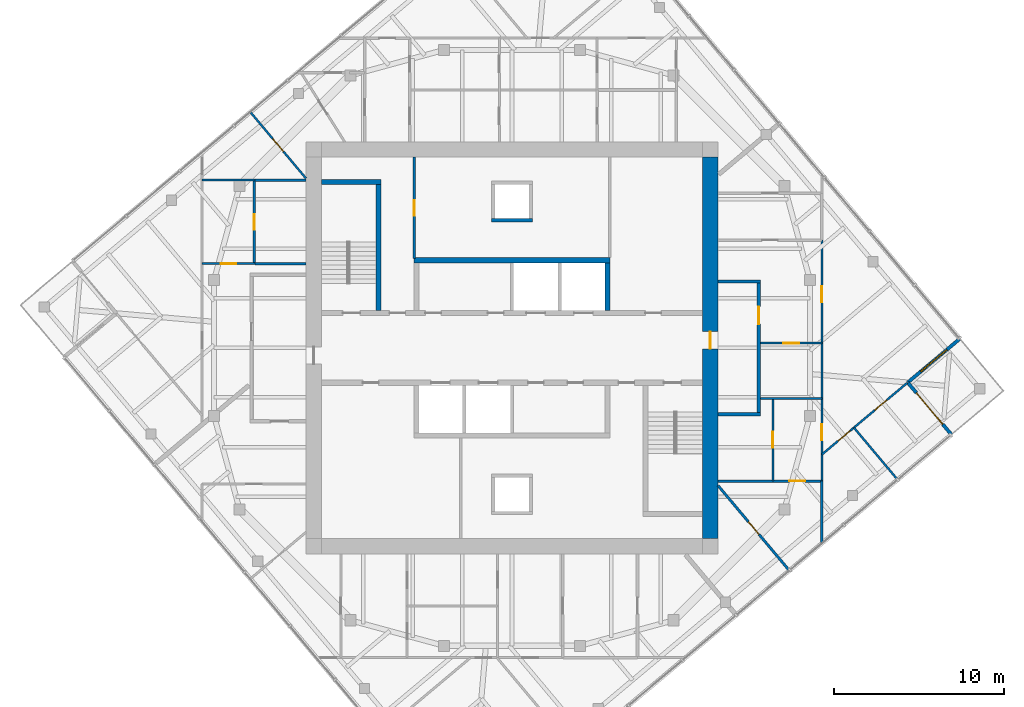
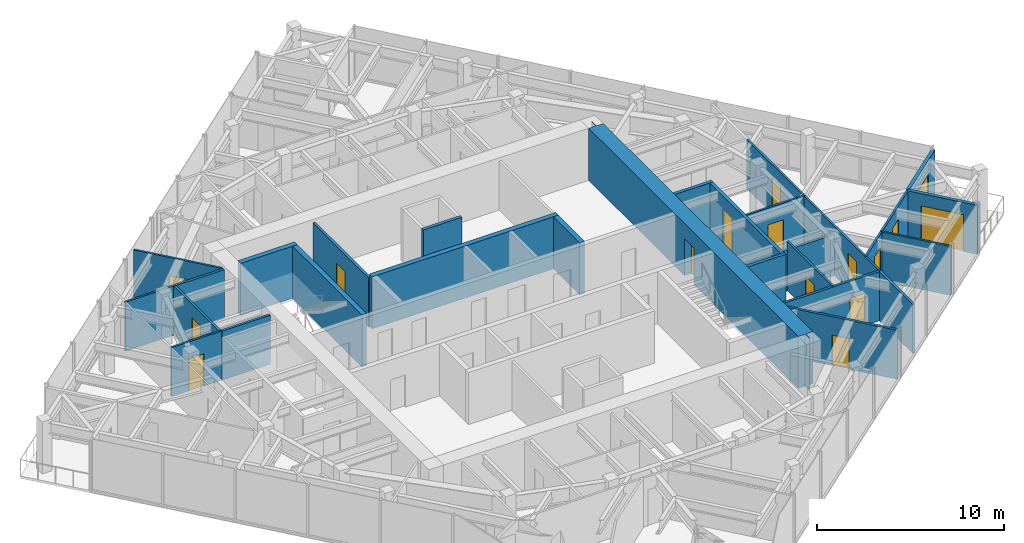
# One storey, part 9 of 12: 27 walls, 15 doors, 1 window, 16 openings.
"""IFC4 building model written with IfcOpenShell, lengths in metres."""

from ifc_helpers import new_model, si_unit, direction, frame, frame_2d, origin, place, context, subcontext, project, spatial, polyline, rectangle, outline, extrude, material, layer, layer_set, type_object, element, fill, save


model = new_model("IFC4")

# Units and contexts
model_context = context("Model", 3, precision=1e-05, world=origin(), true_north=direction((0.0, 1.0)))
body_context = subcontext(model_context, "Body", "Model", "MODEL_VIEW")
ifc_project = project(units=[si_unit("LENGTHUNIT", "METRE"), si_unit("AREAUNIT", "SQUARE_METRE"), si_unit("VOLUMEUNIT", "CUBIC_METRE"), si_unit("PLANEANGLEUNIT", "RADIAN"), si_unit("MASSUNIT", "GRAM", prefix="KILO")], contexts=[model_context])

# Site, building, storey
site_placement = place(None, origin())
site = spatial("IfcSite", under=ifc_project, at=site_placement, CompositionType="ELEMENT")
building_placement = place(site_placement, origin())
building = spatial("IfcBuilding", under=site, at=building_placement, Name="Torsade Residences", CompositionType="ELEMENT")
storey_placement = place(building_placement, frame((0.0, 0.0, 296.39990234375)))
storey = spatial("IfcBuildingStorey", under=building, at=storey_placement, Name="L82", CompositionType="ELEMENT", Elevation=296.39990234375)

# Walls
ifc_material_1 = material(Name="Concrete 80 MPa", Category="concrete")
ifc_layer_1 = layer(ifc_material_1, 0.300048828125)
ifc_layer_set_1 = layer_set([ifc_layer_1], Name="Concrete 80 MPa")
wall_type_1 = type_object("IfcWallType", Name="CORE INTERNAL WALL 300", PredefinedType="SHEAR", material=ifc_layer_set_1)
wall_1_placement = place(storey_placement, frame((34.25, 35.14990234375, 0.0), z_axis=(0.0, 0.0, 1.0), x_axis=(1.0, 0.0, 0.0)))
element("IfcWall", 1, at=wall_1_placement, inside=storey, type_object=wall_type_1, Name="Core wall BN L82", PredefinedType="SHEAR", context=body_context, shape_type="SweptSolid", body=[
    extrude(rectangle(XDim=11.5, YDim=0.300048828125, at=frame_2d((5.75, 0.0))), origin(), (0.0, 0.0, 1.0), 3.400146484375),
])
wall_2_placement = place(storey_placement, frame((45.60009765625, 32.199951171875, 0.0), z_axis=(0.0, 0.0, 1.0), x_axis=(0.0, 1.0, 0.0)))
element("IfcWall", 2, at=wall_2_placement, inside=storey, type_object=wall_type_1, Name="Core wall DN4 L82", PredefinedType="SHEAR", context=body_context, shape_type="SweptSolid", body=[
    extrude(rectangle(XDim=2.800048828125, YDim=0.300048828125, at=frame_2d((1.39990234375, 0.0))), origin(), (0.0, 0.0, 1.0), 3.400146484375),
])
wall_3_placement = place(storey_placement, frame((32.14990234375, 32.199951171875, 0.0), z_axis=(0.0, 0.0, 1.0), x_axis=(0.0, 1.0, 0.0)))
element("IfcWall", 3, at=wall_3_placement, inside=storey, type_object=wall_type_1, Name="Core wall ST1E L82", PredefinedType="SHEAR", context=body_context, shape_type="SweptSolid", body=[
    extrude(rectangle(XDim=7.699951171875, YDim=0.300048828125, at=frame_2d((3.85009765625, 0.0))), origin(), (0.0, 0.0, 1.0), 3.400146484375),
])
wall_4_placement = place(storey_placement, frame((28.800048828125, 39.75, 0.0), z_axis=(0.0, 0.0, 1.0), x_axis=(1.0, 0.0, 0.0)))
element("IfcWall", 4, at=wall_4_placement, inside=storey, type_object=wall_type_1, Name="Core wall ST1N L82", PredefinedType="SHEAR", context=body_context, shape_type="SweptSolid", body=[
    extrude(rectangle(XDim=3.5, YDim=0.300048828125, at=frame_2d((1.75, 0.0))), origin(), (0.0, 0.0, 1.0), 3.400146484375),
])

# Wall, opening, door
ifc_material_2 = material(Name="Concrete 80 MPa", Category="concrete")
ifc_layer_2 = layer(ifc_material_2, 0.89990234375)
ifc_layer_set_2 = layer_set([ifc_layer_2], Name="Concrete 80 MPa")
wall_type_2 = type_object("IfcWallType", Name="CORE WALL 900", PredefinedType="SHEAR", material=ifc_layer_set_2)
wall_5_placement = place(storey_placement, frame((51.64990234375, 18.800048828125, 0.0), z_axis=(0.0, 0.0, 1.0), x_axis=(0.0, 1.0, 0.0)))
wall_5 = element("IfcWall", 5, at=wall_5_placement, inside=storey, type_object=wall_type_2, Name="Core wall E L82", PredefinedType="SHEAR", context=body_context, shape_type="SweptSolid", body=[
    extrude(outline(polyline([(0.0, -0.449951171875), (22.39990234375, -0.449951171875), (22.39990234375, -0.02490234375), (22.849853515625, -0.02490234375), (22.849853515625, 0.02490234375), (22.39990234375, 0.02490234375), (22.39990234375, 0.449951171875), (0.0, 0.449951171875), (0.0, 0.02490234375), (-0.449951171875, 0.02490234375), (-0.449951171875, -0.02490234375), (0.0, -0.02490234375), (0.0, -0.449951171875)])), origin(), (0.0, 0.0, 1.0), 3.400146484375),
])
opening_1_placement = place(wall_5_placement, frame((11.139892578125, 0.0, 0.0)))
opening_1 = element("IfcOpeningElement", 6, at=opening_1_placement, cuts=wall_5, Name="Opening D04", PredefinedType="OPENING", context=body_context, shape_type="SweptSolid", body=[
    extrude(rectangle(XDim=1.02001953125, YDim=2.39990234375, at=frame_2d((0.510009765625, 1.199951171875))), frame((0.0, 0.4599609375, 0.0), z_axis=(0.0, -1.0, 0.0), x_axis=(1.0, 0.0, 0.0)), (0.0, 0.0, 1.0), 0.919921875),
])
ifc_material_3 = material(Name="Steel-framed fire door", Category="steel")
door_type_1 = type_object("IfcDoorType", Name="LOBBY SMOKE DOOR 1020x2400", OperationType="NOTDEFINED", PredefinedType="DOOR", material=ifc_material_3)
door_1_placement = place(opening_1_placement, origin())
door_1 = element("IfcDoor", 7, at=door_1_placement, inside=storey, type_object=door_type_1, Name="Lift lobby door E L82", OperationType="SINGLE_SWING_LEFT", OverallHeight=2.39990234375, OverallWidth=1.02001953125, PredefinedType="DOOR", context=body_context, shape_type="SweptSolid", body=[
    extrude(rectangle(XDim=1.02001953125, YDim=2.39990234375, at=frame_2d((0.510009765625, 1.199951171875))), frame((0.0, 0.02490234375, 0.0), z_axis=(0.0, -1.0, 0.0), x_axis=(1.0, 0.0, 0.0)), (0.0, 0.0, 1.0), 0.050048828125),
])
fill(opening_1, door_1)

ifc_material_4 = material(Name="Plasterboard on steel stud", Category="steel")
ifc_layer_3 = layer(ifc_material_4, 0.199951171875)
ifc_layer_set_3 = layer_set([ifc_layer_3], Name="Plasterboard on steel stud")
wall_type_3 = type_object("IfcWallType", Name="CORRIDOR WALL 200", PredefinedType="PARTITIONING", material=ifc_layer_set_3)
wall_6_placement = place(storey_placement, frame((54.5, 26.10009765625, 0.0), z_axis=(0.0, 0.0, 1.0), x_axis=(0.0, 1.0, 0.0)))
wall_6 = element("IfcWall", 8, at=wall_6_placement, inside=storey, type_object=wall_type_3, Name="Corridor wall L82", PredefinedType="PARTITIONING", context=body_context, shape_type="SweptSolid", body=[
    extrude(rectangle(XDim=7.7998046875, YDim=0.199951171875, at=frame_2d((3.89990234375, 0.0))), origin(), (0.0, 0.0, 1.0), 3.2001953125),
])
opening_2_placement = place(wall_6_placement, frame((5.3017578125, 0.0, 0.0)))
opening_2 = element("IfcOpeningElement", 9, at=opening_2_placement, cuts=wall_6, Name="Opening D01", PredefinedType="OPENING", context=body_context, shape_type="SweptSolid", body=[
    extrude(rectangle(XDim=1.02001953125, YDim=2.340087890625, at=frame_2d((0.510009765625, 1.169921875))), frame((0.0, 0.10986328125, 0.0), z_axis=(0.0, -1.0, 0.0), x_axis=(1.0, 0.0, 0.0)), (0.0, 0.0, 1.0), 0.219970703125),
])
ifc_material_5 = material(Name="Solid-core timber fire door", Category="wood")
door_type_2 = type_object("IfcDoorType", Name="APARTMENT ENTRY DOOR 1020x2340", OperationType="NOTDEFINED", PredefinedType="DOOR", material=ifc_material_5)
door_2_placement = place(opening_2_placement, origin())
door_2 = element("IfcDoor", 10, at=door_2_placement, inside=storey, type_object=door_type_2, Name="Door Residential corridor to Kitchen and dining", OperationType="SINGLE_SWING_RIGHT", OverallHeight=2.340087890625, OverallWidth=1.02001953125, PredefinedType="DOOR", context=body_context, shape_type="SweptSolid", body=[
    extrude(rectangle(XDim=1.02001953125, YDim=2.340087890625, at=frame_2d((0.510009765625, 1.169921875))), frame((0.0, 0.02490234375, 0.0), z_axis=(0.0, -1.0, 0.0), x_axis=(1.0, 0.0, 0.0)), (0.0, 0.0, 1.0), 0.050048828125),
])
fill(opening_2, door_2)

# Walls
for number, where, z_axis, x_axis, name in (
    (11, (52.10009765625, 33.89990234375, 0.0), (0.0, 0.0, 1.0), (1.0, 0.0, 0.0), "Corridor wall L82"),
    (12, (52.10009765625, 26.10009765625, 0.0), (0.0, 0.0, 1.0), (1.0, 0.0, 0.0), "Corridor wall L82"),
):
    element("IfcWall", number, at=place(storey_placement, frame(where, z_axis=z_axis, x_axis=x_axis)), inside=storey, type_object=wall_type_3, Name=name, PredefinedType="PARTITIONING", context=body_context, shape_type="SweptSolid", body=[
        extrude(rectangle(XDim=2.5, YDim=0.199951171875, at=frame_2d((1.25, 0.0))), origin(), (0.0, 0.0, 1.0), 3.2001953125),
    ])

# Wall, opening, door
ifc_material_6 = material(Name="Plasterboard on steel stud", Category="steel")
ifc_layer_4 = layer(ifc_material_6, 0.1201171875)
ifc_layer_set_4 = layer_set([ifc_layer_4], Name="Plasterboard on steel stud")
wall_type_4 = type_object("IfcWallType", Name="PARTITION 120", PredefinedType="PARTITIONING", material=ifc_layer_set_4)
wall_7_placement = place(storey_placement, frame((58.199951171875, 30.273681640625, 0.0), z_axis=(0.0, 0.0, 1.0), x_axis=(-1.0, 0.0, 0.0)))
wall_7 = element("IfcWall", 13, at=wall_7_placement, inside=storey, type_object=wall_type_4, Name="Partition L82", PredefinedType="PARTITIONING", context=body_context, shape_type="SweptSolid", body=[
    extrude(rectangle(XDim=3.599853515625, YDim=0.1201171875, at=frame_2d((1.7998046875, 0.0))), origin(), (0.0, 0.0, 1.0), 3.2001953125),
])
opening_3_placement = place(wall_7_placement, frame((1.320068359375, 0.0, 0.0)))
opening_3 = element("IfcOpeningElement", 14, at=opening_3_placement, cuts=wall_7, Name="Opening D05", PredefinedType="OPENING", context=body_context, shape_type="SweptSolid", body=[
    extrude(rectangle(XDim=0.9599609375, YDim=2.10009765625, at=frame_2d((0.47998046875, 1.050048828125))), frame((0.0, 0.070068359375, 0.0), z_axis=(0.0, -1.0, 0.0), x_axis=(1.0, 0.0, 0.0)), (0.0, 0.0, 1.0), 0.14013671875),
])
ifc_material_7 = material(Name="Hollow-core timber door in a steel cavity frame", Category="steel")
door_type_3 = type_object("IfcDoorType", Name="BATHROOM CAVITY SLIDING DOOR 960", OperationType="SLIDING_TO_LEFT", PredefinedType="DOOR", material=ifc_material_7)
door_3_placement = place(opening_3_placement, origin())
door_3 = element("IfcDoor", 15, at=door_3_placement, inside=storey, type_object=door_type_3, Name="Door Kitchen and dining to Ensuite", OperationType="SLIDING_TO_LEFT", OverallHeight=2.10009765625, OverallWidth=0.9599609375, PredefinedType="DOOR", context=body_context, shape_type="SweptSolid", body=[
    extrude(rectangle(XDim=0.9599609375, YDim=2.10009765625, at=frame_2d((0.47998046875, 1.050048828125))), frame((0.0, 0.02490234375, 0.0), z_axis=(0.0, -1.0, 0.0), x_axis=(1.0, 0.0, 0.0)), (0.0, 0.0, 1.0), 0.050048828125),
])
fill(opening_3, door_3)

# Wall, openings, doors
wall_8_placement = place(storey_placement, frame((58.199951171875, 36.33544921875, 0.0), z_axis=(0.0, 0.0, 1.0), x_axis=(0.0, -1.0, 0.0)))
wall_8 = element("IfcWall", 16, at=wall_8_placement, inside=storey, type_object=wall_type_4, Name="Partition L82", PredefinedType="PARTITIONING", context=body_context, shape_type="SweptSolid", body=[
    extrude(rectangle(XDim=14.157470703125, YDim=0.1201171875, at=frame_2d((7.07861328125, 0.0))), origin(), (0.0, 0.0, 1.0), 3.2001953125),
])
opening_4_placement = place(wall_8_placement, frame((2.720947265625, 0.0, 0.0)))
opening_4 = element("IfcOpeningElement", 17, at=opening_4_placement, cuts=wall_8, Name="Opening D02", PredefinedType="OPENING", context=body_context, shape_type="SweptSolid", body=[
    extrude(rectangle(XDim=0.919921875, YDim=2.340087890625, at=frame_2d((0.4599609375, 1.169921875))), frame((0.0, 0.070068359375, 0.0), z_axis=(0.0, -1.0, 0.0), x_axis=(1.0, 0.0, 0.0)), (0.0, 0.0, 1.0), 0.14013671875),
])
opening_5_placement = place(wall_8_placement, frame((10.828369140625, 0.0, 0.0)))
opening_5 = element("IfcOpeningElement", 18, at=opening_5_placement, cuts=wall_8, Name="Opening D02", PredefinedType="OPENING", context=body_context, shape_type="SweptSolid", body=[
    extrude(rectangle(XDim=0.919921875, YDim=2.340087890625, at=frame_2d((0.4599609375, 1.169921875))), frame((0.0, 0.070068359375, 0.0), z_axis=(0.0, -1.0, 0.0), x_axis=(1.0, 0.0, 0.0)), (0.0, 0.0, 1.0), 0.14013671875),
])
ifc_material_8 = material(Name="Hollow-core timber door", Category="wood")
door_type_4 = type_object("IfcDoorType", Name="INTERNAL DOOR 920x2340", OperationType="NOTDEFINED", PredefinedType="DOOR", material=ifc_material_8)
door_4_placement = place(opening_4_placement, origin())
door_4 = element("IfcDoor", 19, at=door_4_placement, inside=storey, type_object=door_type_4, Name="Door Kitchen and dining to Living room", OperationType="SINGLE_SWING_RIGHT", OverallHeight=2.340087890625, OverallWidth=0.919921875, PredefinedType="DOOR", context=body_context, shape_type="SweptSolid", body=[
    extrude(rectangle(XDim=0.919921875, YDim=2.340087890625, at=frame_2d((0.4599609375, 1.169921875))), frame((0.0, 0.02490234375, 0.0), z_axis=(0.0, -1.0, 0.0), x_axis=(1.0, 0.0, 0.0)), (0.0, 0.0, 1.0), 0.050048828125),
])
fill(opening_4, door_4)
door_5_placement = place(opening_5_placement, origin())
door_5 = element("IfcDoor", 20, at=door_5_placement, inside=storey, type_object=door_type_4, Name="Door Living room to Dressing room", OperationType="SINGLE_SWING_RIGHT", OverallHeight=2.340087890625, OverallWidth=0.919921875, PredefinedType="DOOR", context=body_context, shape_type="SweptSolid", body=[
    extrude(rectangle(XDim=0.919921875, YDim=2.340087890625, at=frame_2d((0.4599609375, 1.169921875))), frame((0.0, 0.02490234375, 0.0), z_axis=(0.0, -1.0, 0.0), x_axis=(1.0, 0.0, 0.0)), (0.0, 0.0, 1.0), 0.050048828125),
])
fill(opening_5, door_5)

# Wall, opening, door
wall_9_placement = place(storey_placement, frame((55.321044921875, 27.026611328125, 0.0), z_axis=(0.0, 0.0, 1.0), x_axis=(0.0, -1.0, 0.0)))
wall_9 = element("IfcWall", 21, at=wall_9_placement, inside=storey, type_object=wall_type_4, Name="Partition L82", PredefinedType="PARTITIONING", context=body_context, shape_type="SweptSolid", body=[
    extrude(rectangle(XDim=4.8486328125, YDim=0.1201171875, at=frame_2d((2.42431640625, 0.0))), origin(), (0.0, 0.0, 1.0), 3.2001953125),
])
opening_6_placement = place(wall_9_placement, frame((1.9443359375, 0.0, 0.0)))
opening_6 = element("IfcOpeningElement", 22, at=opening_6_placement, cuts=wall_9, Name="Opening D05", PredefinedType="OPENING", context=body_context, shape_type="SweptSolid", body=[
    extrude(rectangle(XDim=0.9599609375, YDim=2.10009765625, at=frame_2d((0.47998046875, 1.050048828125))), frame((0.0, 0.070068359375, 0.0), z_axis=(0.0, -1.0, 0.0), x_axis=(1.0, 0.0, 0.0)), (0.0, 0.0, 1.0), 0.14013671875),
])
door_6_placement = place(opening_6_placement, origin())
door_6 = element("IfcDoor", 23, at=door_6_placement, inside=storey, type_object=door_type_3, Name="Door Dressing room to Bathroom", OperationType="SLIDING_TO_LEFT", OverallHeight=2.10009765625, OverallWidth=0.9599609375, PredefinedType="DOOR", context=body_context, shape_type="SweptSolid", body=[
    extrude(rectangle(XDim=0.9599609375, YDim=2.10009765625, at=frame_2d((0.47998046875, 1.050048828125))), frame((0.0, 0.02490234375, 0.0), z_axis=(0.0, -1.0, 0.0), x_axis=(1.0, 0.0, 0.0)), (0.0, 0.0, 1.0), 0.050048828125),
])
fill(opening_6, door_6)

# Wall
wall_10_placement = place(storey_placement, frame((54.60009765625, 27.026611328125, 0.0), z_axis=(0.0, 0.0, 1.0), x_axis=(1.0, 0.0, 0.0)))
element("IfcWall", 24, at=wall_10_placement, inside=storey, type_object=wall_type_4, Name="Partition L82", PredefinedType="PARTITIONING", context=body_context, shape_type="SweptSolid", body=[
    extrude(rectangle(XDim=3.599853515625, YDim=0.1201171875, at=frame_2d((1.7998046875, 0.0))), origin(), (0.0, 0.0, 1.0), 2.672119140625),
])

# Wall, openings, doors
wall_11_placement = place(storey_placement, frame((63.215087890625, 27.940673828125, 0.0), z_axis=(0.0, 0.0, 1.0), x_axis=(-0.766040488268, -0.642792322864, 0.0)))
wall_11 = element("IfcWall", 25, at=wall_11_placement, inside=storey, type_object=wall_type_4, Name="Partition L82", PredefinedType="PARTITIONING", context=body_context, shape_type="SweptSolid", body=[
    extrude(rectangle(XDim=6.546875, YDim=0.1201171875, at=frame_2d((3.2734375, 0.0))), origin(), (0.0, 0.0, 1.0), 3.2001953125),
])
opening_7_placement = place(wall_11_placement, frame((1.5625, 0.0, 0.0)))
opening_7 = element("IfcOpeningElement", 26, at=opening_7_placement, cuts=wall_11, Name="Opening D02", PredefinedType="OPENING", context=body_context, shape_type="SweptSolid", body=[
    extrude(rectangle(XDim=0.919921875, YDim=2.340087890625, at=frame_2d((0.4599609375, 1.169921875))), frame((0.0, 0.070068359375, 0.0), z_axis=(0.0, -1.0, 0.0), x_axis=(1.0, 0.0, 0.0)), (0.0, 0.0, 1.0), 0.14013671875),
])
opening_8_placement = place(wall_11_placement, frame((4.380859375, 0.0, 0.0)))
opening_8 = element("IfcOpeningElement", 27, at=opening_8_placement, cuts=wall_11, Name="Opening D02", PredefinedType="OPENING", context=body_context, shape_type="SweptSolid", body=[
    extrude(rectangle(XDim=0.919921875, YDim=2.340087890625, at=frame_2d((0.4599609375, 1.169921875))), frame((0.0, 0.070068359375, 0.0), z_axis=(0.0, -1.0, 0.0), x_axis=(1.0, 0.0, 0.0)), (0.0, 0.0, 1.0), 0.14013671875),
])
door_7_placement = place(opening_7_placement, origin())
door_7 = element("IfcDoor", 28, at=door_7_placement, inside=storey, type_object=door_type_4, Name="Door Living room to Bedroom 2", OperationType="SINGLE_SWING_RIGHT", OverallHeight=2.340087890625, OverallWidth=0.919921875, PredefinedType="DOOR", context=body_context, shape_type="SweptSolid", body=[
    extrude(rectangle(XDim=0.919921875, YDim=2.340087890625, at=frame_2d((0.4599609375, 1.169921875))), frame((0.0, 0.02490234375, 0.0), z_axis=(0.0, -1.0, 0.0), x_axis=(1.0, 0.0, 0.0)), (0.0, 0.0, 1.0), 0.050048828125),
])
fill(opening_7, door_7)
door_8_placement = place(opening_8_placement, origin())
door_8 = element("IfcDoor", 29, at=door_8_placement, inside=storey, type_object=door_type_4, Name="Door Living room to Bedroom 1", OperationType="SINGLE_SWING_LEFT", OverallHeight=2.340087890625, OverallWidth=0.919921875, PredefinedType="DOOR", context=body_context, shape_type="SweptSolid", body=[
    extrude(rectangle(XDim=0.919921875, YDim=2.340087890625, at=frame_2d((0.4599609375, 1.169921875))), frame((0.0, 0.02490234375, 0.0), z_axis=(0.0, -1.0, 0.0), x_axis=(1.0, 0.0, 0.0)), (0.0, 0.0, 1.0), 0.050048828125),
])
fill(opening_8, door_8)

# Wall
wall_12_placement = place(storey_placement, frame((60.085693359375, 25.314697265625, 0.0), z_axis=(0.0, 0.0, 1.0), x_axis=(0.642830555003, -0.766008405669, 0.0)))
element("IfcWall", 30, at=wall_12_placement, inside=storey, type_object=wall_type_4, Name="Partition L82", PredefinedType="PARTITIONING", context=body_context, shape_type="SweptSolid", body=[
    extrude(rectangle(XDim=3.9599609375, YDim=0.1201171875, at=frame_2d((1.97998046875, 0.0))), origin(), (0.0, 0.0, 1.0), 3.2001953125),
])

# Wall, opening, door
wall_13_placement = place(storey_placement, frame((21.800048828125, 34.9453125, 0.0), z_axis=(0.0, 0.0, 1.0), x_axis=(1.0, 0.0, 0.0)))
wall_13 = element("IfcWall", 31, at=wall_13_placement, inside=storey, type_object=wall_type_4, Name="Partition L82", PredefinedType="PARTITIONING", context=body_context, shape_type="SweptSolid", body=[
    extrude(rectangle(XDim=3.099853515625, YDim=0.1201171875, at=frame_2d((1.5498046875, 0.0))), origin(), (0.0, 0.0, 1.0), 3.2001953125),
])
opening_9_placement = place(wall_13_placement, frame((1.090087890625, 0.0, 0.0)))
opening_9 = element("IfcOpeningElement", 32, at=opening_9_placement, cuts=wall_13, Name="Opening D02L", PredefinedType="OPENING", context=body_context, shape_type="SweptSolid", body=[
    extrude(rectangle(XDim=0.919921875, YDim=2.10009765625, at=frame_2d((0.4599609375, 1.050048828125))), frame((0.0, 0.070068359375, 0.0), z_axis=(0.0, -1.0, 0.0), x_axis=(1.0, 0.0, 0.0)), (0.0, 0.0, 1.0), 0.14013671875),
])
ifc_material_9 = material(Name="Hollow-core timber door", Category="wood")
door_type_5 = type_object("IfcDoorType", Name="INTERNAL DOOR 920x2100", OperationType="NOTDEFINED", PredefinedType="DOOR", material=ifc_material_9)
door_9_placement = place(opening_9_placement, origin())
door_9 = element("IfcDoor", 33, at=door_9_placement, inside=storey, type_object=door_type_5, Name="Door Kitchen and dining to Dressing room 3", OperationType="SINGLE_SWING_RIGHT", OverallHeight=2.10009765625, OverallWidth=0.919921875, PredefinedType="DOOR", context=body_context, shape_type="SweptSolid", body=[
    extrude(rectangle(XDim=0.919921875, YDim=2.10009765625, at=frame_2d((0.4599609375, 1.050048828125))), frame((0.0, 0.02490234375, 0.0), z_axis=(0.0, -1.0, 0.0), x_axis=(1.0, 0.0, 0.0)), (0.0, 0.0, 1.0), 0.050048828125),
])
fill(opening_9, door_9)

wall_14_placement = place(storey_placement, frame((24.64990234375, 43.828369140625, 0.0), z_axis=(0.0, 0.0, 1.0), x_axis=(0.64277866568, -0.766051947943, 0.0)))
wall_14 = element("IfcWall", 34, at=wall_14_placement, inside=storey, type_object=wall_type_4, Name="Partition L82", PredefinedType="PARTITIONING", context=body_context, shape_type="SweptSolid", body=[
    extrude(rectangle(XDim=5.05615234375, YDim=0.1201171875, at=frame_2d((2.528076171875, 0.0))), origin(), (0.0, 0.0, 1.0), 3.2001953125),
])
opening_10_placement = place(wall_14_placement, frame((2.028076171875, 0.0, 0.0)))
opening_10 = element("IfcOpeningElement", 35, at=opening_10_placement, cuts=wall_14, Name="Opening D05N", PredefinedType="OPENING", context=body_context, shape_type="SweptSolid", body=[
    extrude(rectangle(XDim=0.9599609375, YDim=2.0, at=frame_2d((0.47998046875, 1.0))), frame((0.0, 0.070068359375, 0.0), z_axis=(0.0, -1.0, 0.0), x_axis=(1.0, 0.0, 0.0)), (0.0, 0.0, 1.0), 0.14013671875),
])
ifc_material_10 = material(Name="Hollow-core timber door in a steel cavity frame", Category="steel")
door_type_6 = type_object("IfcDoorType", Name="BATHROOM CAVITY SLIDING DOOR 960x2000", OperationType="SLIDING_TO_LEFT", PredefinedType="DOOR", material=ifc_material_10)
door_10_placement = place(opening_10_placement, origin())
door_10 = element("IfcDoor", 36, at=door_10_placement, inside=storey, type_object=door_type_6, Name="Door Dressing room 2 to WC 2", OperationType="SLIDING_TO_LEFT", OverallHeight=2.0, OverallWidth=0.9599609375, PredefinedType="DOOR", context=body_context, shape_type="SweptSolid", body=[
    extrude(rectangle(XDim=0.9599609375, YDim=2.0, at=frame_2d((0.47998046875, 1.0))), frame((0.0, 0.02490234375, 0.0), z_axis=(0.0, -1.0, 0.0), x_axis=(1.0, 0.0, 0.0)), (0.0, 0.0, 1.0), 0.050048828125),
])
fill(opening_10, door_10)

# Walls
wall_15_placement = place(storey_placement, frame((24.89990234375, 39.852294921875, 0.0), z_axis=(0.0, 0.0, 1.0), x_axis=(-1.0, 0.0, 0.0)))
element("IfcWall", 37, at=wall_15_placement, inside=storey, type_object=wall_type_4, Name="Partition L82", PredefinedType="PARTITIONING", context=body_context, shape_type="SweptSolid", body=[
    extrude(rectangle(XDim=3.099853515625, YDim=0.1201171875, at=frame_2d((1.5498046875, 0.0))), origin(), (0.0, 0.0, 1.0), 3.2001953125),
])
ifc_material_11 = material(Name="Reinforced blockwork", Category="masonry")
ifc_layer_5 = layer(ifc_material_11, 0.199951171875)
ifc_layer_set_5 = layer_set([ifc_layer_5], Name="Reinforced blockwork")
wall_type_5 = type_object("IfcWallType", Name="RISER SHAFT WALL 200", PredefinedType="SOLIDWALL", material=ifc_layer_set_5)
wall_16_placement = place(storey_placement, frame((38.800048828125, 37.5, 0.0), z_axis=(0.0, 0.0, 1.0), x_axis=(1.0, 0.0, 0.0)))
element("IfcWall", 38, at=wall_16_placement, inside=storey, type_object=wall_type_5, Name="Core wall RS1c L82", PredefinedType="SOLIDWALL", context=body_context, shape_type="SweptSolid", body=[
    extrude(rectangle(XDim=2.39990234375, YDim=0.199951171875, at=frame_2d((1.199951171875, 0.0))), origin(), (0.0, 0.0, 1.0), 3.400146484375),
])

# Wall, opening, door
ifc_material_12 = material(Name="Reinforced blockwork", Category="masonry")
ifc_layer_6 = layer(ifc_material_12, 0.14990234375)
ifc_layer_set_6 = layer_set([ifc_layer_6], Name="Reinforced blockwork")
wall_type_6 = type_object("IfcWallType", Name="SERVICE ROOM WALL 150", PredefinedType="SOLIDWALL", material=ifc_layer_set_6)
wall_17_placement = place(storey_placement, frame((34.25, 41.199951171875, 0.0), z_axis=(0.0, 0.0, 1.0), x_axis=(0.0, -1.0, 0.0)))
wall_17 = element("IfcWall", 39, at=wall_17_placement, inside=storey, type_object=wall_type_6, Name="Service room wall L82", PredefinedType="SOLIDWALL", context=body_context, shape_type="SweptSolid", body=[
    extrude(rectangle(XDim=5.949951171875, YDim=0.14990234375, at=frame_2d((2.97509765625, 0.0))), origin(), (0.0, 0.0, 1.0), 3.2001953125),
])
opening_11_placement = place(wall_17_placement, frame((2.514892578125, 0.0, 0.0)))
opening_11 = element("IfcOpeningElement", 40, at=opening_11_placement, cuts=wall_17, Name="Opening D06", PredefinedType="OPENING", context=body_context, shape_type="SweptSolid", body=[
    extrude(rectangle(XDim=0.919921875, YDim=2.10009765625, at=frame_2d((0.4599609375, 1.050048828125))), frame((0.0, 0.0849609375, 0.0), z_axis=(0.0, -1.0, 0.0), x_axis=(1.0, 0.0, 0.0)), (0.0, 0.0, 1.0), 0.169921875),
])
ifc_material_13 = material(Name="Steel-framed fire door", Category="steel")
door_type_7 = type_object("IfcDoorType", Name="FIRE DOOR 920", OperationType="NOTDEFINED", PredefinedType="DOOR", material=ifc_material_13)
door_11_placement = place(opening_11_placement, origin())
door_11 = element("IfcDoor", 41, at=door_11_placement, inside=storey, type_object=door_type_7, Name="Door Main switchboard store to Electrical riser room", OperationType="SINGLE_SWING_RIGHT", OverallHeight=2.10009765625, OverallWidth=0.919921875, PredefinedType="DOOR", context=body_context, shape_type="SweptSolid", body=[
    extrude(rectangle(XDim=0.919921875, YDim=2.10009765625, at=frame_2d((0.4599609375, 1.050048828125))), frame((0.0, 0.02490234375, 0.0), z_axis=(0.0, -1.0, 0.0), x_axis=(1.0, 0.0, 0.0)), (0.0, 0.0, 1.0), 0.050048828125),
])
fill(opening_11, door_11)

wall_18_placement = place(storey_placement, frame((58.199951171875, 22.177978515625, 0.0), z_axis=(0.0, 0.0, 1.0), x_axis=(-1.0, 0.0, 0.0)))
wall_18 = element("IfcWall", 42, at=wall_18_placement, inside=storey, type_object=wall_type_6, Name="Service room wall L82", PredefinedType="SOLIDWALL", context=body_context, shape_type="SweptSolid", body=[
    extrude(rectangle(XDim=6.099853515625, YDim=0.14990234375, at=frame_2d((3.0498046875, 0.0))), origin(), (0.0, 0.0, 1.0), 3.2001953125),
])
opening_12_placement = place(wall_18_placement, frame((0.9794921875, 0.0, 0.0)))
opening_12 = element("IfcOpeningElement", 43, at=opening_12_placement, cuts=wall_18, Name="Opening D02L", PredefinedType="OPENING", context=body_context, shape_type="SweptSolid", body=[
    extrude(rectangle(XDim=0.919921875, YDim=2.10009765625, at=frame_2d((0.4599609375, 1.050048828125))), frame((0.0, 0.0849609375, 0.0), z_axis=(0.0, -1.0, 0.0), x_axis=(1.0, 0.0, 0.0)), (0.0, 0.0, 1.0), 0.169921875),
])
door_12_placement = place(opening_12_placement, origin())
door_12 = element("IfcDoor", 44, at=door_12_placement, inside=storey, type_object=door_type_5, Name="Door Dressing room to Linen store", OperationType="SINGLE_SWING_LEFT", OverallHeight=2.10009765625, OverallWidth=0.919921875, PredefinedType="DOOR", context=body_context, shape_type="SweptSolid", body=[
    extrude(rectangle(XDim=0.919921875, YDim=2.10009765625, at=frame_2d((0.4599609375, 1.050048828125))), frame((0.0, 0.02490234375, 0.0), z_axis=(0.0, -1.0, 0.0), x_axis=(1.0, 0.0, 0.0)), (0.0, 0.0, 1.0), 0.050048828125),
])
fill(opening_12, door_12)

wall_19_placement = place(storey_placement, frame((52.10009765625, 21.91455078125, 0.0), z_axis=(0.0, 0.0, 1.0), x_axis=(0.642782544614, -0.766048693191, 0.0)))
wall_19 = element("IfcWall", 45, at=wall_19_placement, inside=storey, type_object=wall_type_6, Name="Service room wall L82", PredefinedType="SOLIDWALL", context=body_context, shape_type="SweptSolid", body=[
    extrude(rectangle(XDim=6.488525390625, YDim=0.14990234375, at=frame_2d((3.244140625, 0.0))), origin(), (0.0, 0.0, 1.0), 3.2001953125),
])
opening_13_placement = place(wall_19_placement, frame((2.7841796875, 0.0, 0.0)))
opening_13 = element("IfcOpeningElement", 46, at=opening_13_placement, cuts=wall_19, Name="Opening D05N", PredefinedType="OPENING", context=body_context, shape_type="SweptSolid", body=[
    extrude(rectangle(XDim=0.9599609375, YDim=2.0, at=frame_2d((0.47998046875, 1.0))), frame((0.0, 0.0849609375, 0.0), z_axis=(0.0, -1.0, 0.0), x_axis=(1.0, 0.0, 0.0)), (0.0, 0.0, 1.0), 0.169921875),
])
door_13_placement = place(opening_13_placement, origin())
door_13 = element("IfcDoor", 47, at=door_13_placement, inside=storey, type_object=door_type_6, Name="Door Linen store to Laundry", OperationType="SLIDING_TO_LEFT", OverallHeight=2.0, OverallWidth=0.9599609375, PredefinedType="DOOR", context=body_context, shape_type="SweptSolid", body=[
    extrude(rectangle(XDim=0.9599609375, YDim=2.0, at=frame_2d((0.47998046875, 1.0))), frame((0.0, 0.02490234375, 0.0), z_axis=(0.0, -1.0, 0.0), x_axis=(1.0, 0.0, 0.0)), (0.0, 0.0, 1.0), 0.050048828125),
])
fill(opening_13, door_13)

# Walls
wall_20_placement = place(storey_placement, frame((58.199951171875, 22.177978515625, 0.0), z_axis=(0.0, 0.0, 1.0), x_axis=(0.0, -1.0, 0.0)))
element("IfcWall", 48, at=wall_20_placement, inside=storey, type_object=wall_type_6, Name="Service room wall L82", PredefinedType="SOLIDWALL", context=body_context, shape_type="SweptSolid", body=[
    extrude(rectangle(XDim=3.614990234375, YDim=0.14990234375, at=frame_2d((1.8076171875, 0.0))), origin(), (0.0, 0.0, 1.0), 3.2001953125),
])
for number, where, z_axis, x_axis, name in (
    (49, (24.89990234375, 34.9453125, 0.0), (0.0, 0.0, 1.0), (1.0, 0.0, 0.0), "Service room wall L82"),
    (50, (27.89990234375, 39.852294921875, 0.0), (0.0, 0.0, 1.0), (-1.0, 0.0, 0.0), "Service room wall L82"),
):
    element("IfcWall", number, at=place(storey_placement, frame(where, z_axis=z_axis, x_axis=x_axis)), inside=storey, type_object=wall_type_6, Name=name, PredefinedType="SOLIDWALL", context=body_context, shape_type="SweptSolid", body=[
        extrude(rectangle(XDim=3.0, YDim=0.14990234375, at=frame_2d((1.5, 0.0))), origin(), (0.0, 0.0, 1.0), 3.2001953125),
    ])

# Wall, opening, door
wall_21_placement = place(storey_placement, frame((24.85009765625, 34.9453125, 0.0), z_axis=(0.0, 0.0, 1.0), x_axis=(0.0, 1.0, 0.0)))
wall_21 = element("IfcWall", 51, at=wall_21_placement, inside=storey, type_object=wall_type_6, Name="Service room wall L82", PredefinedType="SOLIDWALL", context=body_context, shape_type="SweptSolid", body=[
    extrude(rectangle(XDim=4.906982421875, YDim=0.14990234375, at=frame_2d((2.45361328125, 0.0))), origin(), (0.0, 0.0, 1.0), 3.2001953125),
])
opening_14_placement = place(wall_21_placement, frame((1.99365234375, 0.0, 0.0)))
opening_14 = element("IfcOpeningElement", 52, at=opening_14_placement, cuts=wall_21, Name="Opening D02", PredefinedType="OPENING", context=body_context, shape_type="SweptSolid", body=[
    extrude(rectangle(XDim=0.919921875, YDim=2.340087890625, at=frame_2d((0.4599609375, 1.169921875))), frame((0.0, 0.0849609375, 0.0), z_axis=(0.0, -1.0, 0.0), x_axis=(1.0, 0.0, 0.0)), (0.0, 0.0, 1.0), 0.169921875),
])
door_14_placement = place(opening_14_placement, origin())
door_14 = element("IfcDoor", 53, at=door_14_placement, inside=storey, type_object=door_type_4, Name="Door Dressing room 3 to Linen store 2", OperationType="SINGLE_SWING_LEFT", OverallHeight=2.340087890625, OverallWidth=0.919921875, PredefinedType="DOOR", context=body_context, shape_type="SweptSolid", body=[
    extrude(rectangle(XDim=0.919921875, YDim=2.340087890625, at=frame_2d((0.4599609375, 1.169921875))), frame((0.0, 0.02490234375, 0.0), z_axis=(0.0, -1.0, 0.0), x_axis=(1.0, 0.0, 0.0)), (0.0, 0.0, 1.0), 0.050048828125),
])
fill(opening_14, door_14)

ifc_material_14 = material(Name="Stone-faced precast concrete 40 MPa panel", Category="masonry")
ifc_layer_7 = layer(ifc_material_14, 0.199951171875)
ifc_layer_set_7 = layer_set([ifc_layer_7], Name="Stone-faced precast concrete 40 MPa panel")
wall_type_7 = type_object("IfcWallType", Name="TERRACE WALL 200", PredefinedType="SOLIDWALL", material=ifc_layer_set_7)
wall_22_placement = place(storey_placement, frame((65.81689453125, 24.902099609375, 0.0), z_axis=(0.0, 0.0, 1.0), x_axis=(-0.642768287094, 0.766060656284, 0.0)))
wall_22 = element("IfcWall", 54, at=wall_22_placement, inside=storey, type_object=wall_type_7, Name="Terrace wall L82 2", PredefinedType="SOLIDWALL", context=body_context, shape_type="SweptSolid", body=[
    extrude(rectangle(XDim=4.0, YDim=0.199951171875, at=frame_2d((2.0, 0.0))), origin(), (0.0, 0.0, 1.0), 3.2001953125),
])
opening_15_placement = place(wall_22_placement, frame((0.800048828125, 0.0, 0.0)))
opening_15 = element("IfcOpeningElement", 55, at=opening_15_placement, cuts=wall_22, Name="Opening D10", PredefinedType="OPENING", context=body_context, shape_type="SweptSolid", body=[
    extrude(rectangle(XDim=2.39990234375, YDim=2.39990234375, at=frame_2d((1.199951171875, 1.199951171875))), frame((0.0, 0.10986328125, 0.0), z_axis=(0.0, -1.0, 0.0), x_axis=(1.0, 0.0, 0.0)), (0.0, 0.0, 1.0), 0.219970703125),
])
ifc_material_15 = material(Name="Aluminium-framed glass door", Category="aluminium")
door_type_8 = type_object("IfcDoorType", Name="TERRACE SLIDING DOOR 2400", OperationType="SLIDING_TO_LEFT", PredefinedType="DOOR", material=ifc_material_15)
door_15_placement = place(opening_15_placement, origin())
door_15 = element("IfcDoor", 56, at=door_15_placement, inside=storey, type_object=door_type_8, Name="Terrace door L82 2", OperationType="SLIDING_TO_LEFT", OverallHeight=2.39990234375, OverallWidth=2.39990234375, PredefinedType="DOOR", context=body_context, shape_type="SweptSolid", body=[
    extrude(rectangle(XDim=2.39990234375, YDim=2.39990234375, at=frame_2d((1.199951171875, 1.199951171875))), frame((0.0, 0.02490234375, 0.0), z_axis=(0.0, -1.0, 0.0), x_axis=(1.0, 0.0, 0.0)), (0.0, 0.0, 1.0), 0.050048828125),
])
fill(opening_15, door_15)

# Wall, opening, window
wall_23_placement = place(storey_placement, frame((63.245849609375, 27.96630859375, 0.0), z_axis=(0.0, 0.0, 1.0), x_axis=(0.766035437498, 0.642798342015, 0.0)))
wall_23 = element("IfcWall", 57, at=wall_23_placement, inside=storey, type_object=wall_type_7, Name="Terrace wall L82 3", PredefinedType="SOLIDWALL", context=body_context, shape_type="SweptSolid", body=[
    extrude(rectangle(XDim=3.999755859375, YDim=0.199951171875, at=frame_2d((2.0, 0.0))), origin(), (0.0, 0.0, 1.0), 3.2001953125),
])
opening_16_placement = place(wall_23_placement, frame((1.0, 0.0, 0.449951171875)))
opening_16 = element("IfcOpeningElement", 58, at=opening_16_placement, cuts=wall_23, Name="Opening W1B", PredefinedType="OPENING", context=body_context, shape_type="SweptSolid", body=[
    extrude(rectangle(XDim=2.0, YDim=1.800048828125, at=frame_2d((1.0, 0.89990234375))), frame((0.0, 0.10986328125, 0.0), z_axis=(0.0, -1.0, 0.0), x_axis=(1.0, 0.0, 0.0)), (0.0, 0.0, 1.0), 0.219970703125),
])
ifc_material_16 = material(Name="Aluminium-framed glass window", Category="aluminium")
window_type = type_object("IfcWindowType", Name="TERRACE WINDOW 2000x1800", PartitioningType="SINGLE_PANEL", PredefinedType="WINDOW", material=ifc_material_16)
window_placement = place(opening_16_placement, origin())
window = element("IfcWindow", 59, at=window_placement, inside=storey, type_object=window_type, Name="Terrace window L82 3", OverallHeight=1.800048828125, OverallWidth=2.0, PartitioningType="SINGLE_PANEL", PredefinedType="WINDOW", context=body_context, shape_type="SweptSolid", body=[
    extrude(rectangle(XDim=2.0, YDim=1.800048828125, at=frame_2d((1.0, 0.89990234375))), frame((0.0, 0.030029296875, 0.0), z_axis=(0.0, -1.0, 0.0), x_axis=(1.0, 0.0, 0.0)), (0.0, 0.0, 1.0), 0.06005859375),
])
fill(opening_16, window)

save(model, "model.ifc")
